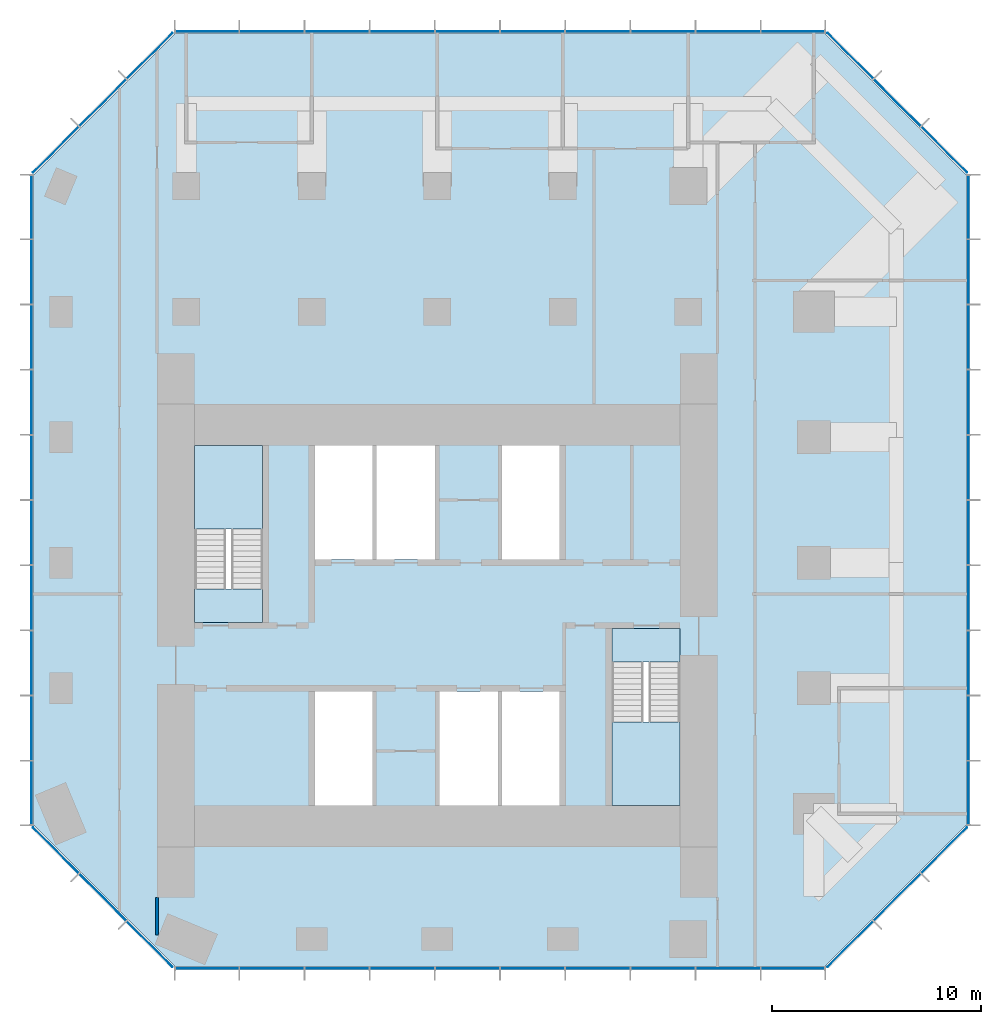
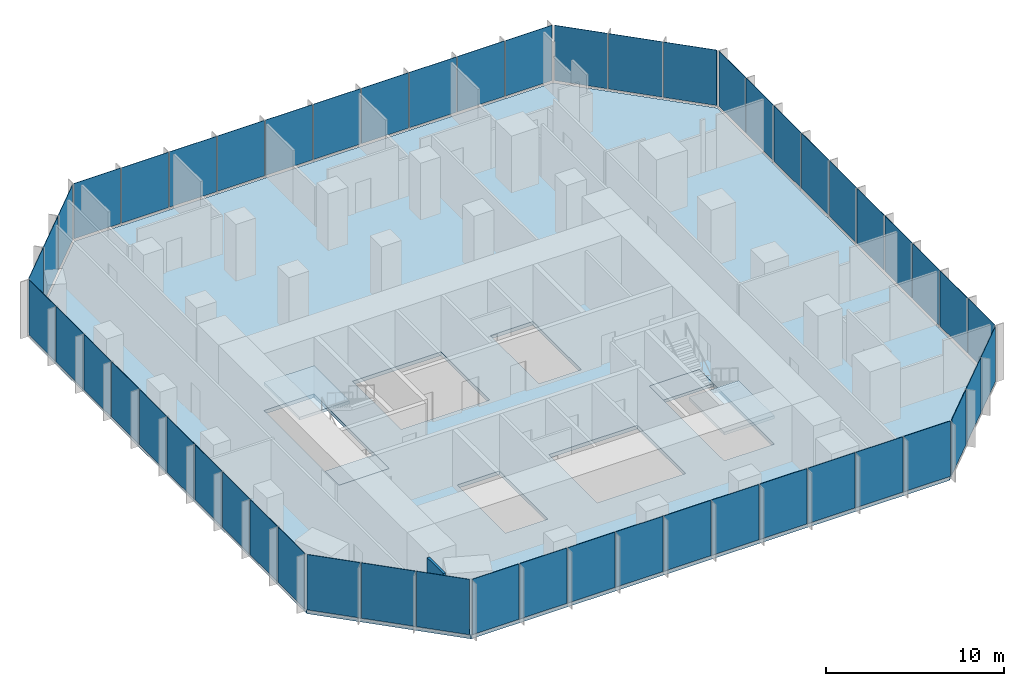
# One storey, part 7 of 11: 52 plates, 5 slabs, 1 wall, 10 elements without a shape of their own.
"""IFC4 building model written with IfcOpenShell, lengths in metres."""

import ifcopenshell
import ifcopenshell.guid

model = None  # the IFC model being written
_history = None  # IfcOwnerHistory: only IFC2X3 demands one
_inside = {}  # id of a spatial element -> (the spatial element, [elements in it])
_under = {}  # id of a project, library or spatial element -> (it, [spatial elements below it])
_declared = {}  # id of a project -> (the project, [libraries it declares])
_typed = {}  # id of a type object -> (the type object, [elements of that type])
_made_of = {}  # id of a material, layer set ... -> (it, [elements and type objects made of it])


def new_model(schema):
    """Start an empty IFC model of exactly this schema.

    Asked for "IFC4X3", IfcOpenShell would pick the latest addendum, in which some entities
    have other attributes; the version numbers below select the first issue.
    IFC2X3 requires an IfcOwnerHistory on every rooted entity: one is made here for all.
    """
    global model, _history
    if schema == "IFC4X3":
        model = ifcopenshell.file(schema_version=(4, 3, 0, 0))
    else:
        model = ifcopenshell.file(schema=schema)
    _inside.clear()
    _under.clear()
    _declared.clear()
    _typed.clear()
    _made_of.clear()
    _history = None
    if model.schema == "IFC2X3":
        org = make("IfcOrganization", Name="unknown")
        user = make(
            "IfcPersonAndOrganization",
            ThePerson=make("IfcPerson", FamilyName="unknown"),
            TheOrganization=org,
        )
        app = make(
            "IfcApplication",
            ApplicationDeveloper=org,
            Version="unknown",
            ApplicationFullName="unknown",
            ApplicationIdentifier="unknown",
        )
        _history = make(
            "IfcOwnerHistory",
            OwningUser=user,
            OwningApplication=app,
            ChangeAction="ADDED",
            CreationDate=0,
        )
    return model


def make(cls, **values):
    """One entity of the class cls with the attributes given. An attribute that is None is left unset."""
    return model.create_entity(
        cls, **{name: value for name, value in values.items() if value is not None}
    )


def rooted(cls, **values):
    """An entity with a GlobalId (a new one), such as an element, a storey or a relation."""
    return make(cls, GlobalId=ifcopenshell.guid.new(), OwnerHistory=_history, **values)


def si_unit(unit_type, name, prefix=None):
    """IfcSIUnit, for example si_unit("LENGTHUNIT", "METRE", prefix="MILLI")."""
    return make("IfcSIUnit", UnitType=unit_type, Prefix=prefix, Name=name)


def assignment(units):
    """IfcUnitAssignment: the units of a project."""
    return None if units is None else make("IfcUnitAssignment", Units=units)


def point(xyz):
    """IfcCartesianPoint."""
    return None if xyz is None else make("IfcCartesianPoint", Coordinates=xyz)


def direction(xyz):
    """IfcDirection."""
    return None if xyz is None else make("IfcDirection", DirectionRatios=xyz)


def frame(location, z_axis=None, x_axis=None):
    """IfcAxis2Placement3D, a coordinate frame: its origin and axes. An axis left out is left unset."""
    return make(
        "IfcAxis2Placement3D",
        Location=point(location),
        Axis=direction(z_axis),
        RefDirection=direction(x_axis),
    )


def frame_2d(location, x_axis=None):
    """IfcAxis2Placement2D, a coordinate frame in the plane: its origin and x axis."""
    return make(
        "IfcAxis2Placement2D", Location=point(location), RefDirection=direction(x_axis)
    )


def origin():
    """The frame at (0, 0, 0) with its axes left unset."""
    return frame((0.0, 0.0, 0.0))


def origin_2d():
    """The frame at (0, 0) in the plane with its x axis left unset."""
    return frame_2d((0.0, 0.0))


def place(relative_to, where):
    """IfcLocalPlacement: puts the frame where relative to a parent placement (None: the world)."""
    return make(
        "IfcLocalPlacement", PlacementRelTo=relative_to, RelativePlacement=where
    )


def context(
    kind, dimensions, precision=None, world=None, true_north=None, identifier=None
):
    """IfcGeometricRepresentationContext, for example the 3D "Model" context."""
    return make(
        "IfcGeometricRepresentationContext",
        ContextIdentifier=identifier,
        ContextType=kind,
        CoordinateSpaceDimension=dimensions,
        Precision=precision,
        WorldCoordinateSystem=world,
        TrueNorth=true_north,
    )


def subcontext(parent, identifier, kind, view, scale=None):
    """IfcGeometricRepresentationSubContext, for example "Body" below "Model"."""
    return make(
        "IfcGeometricRepresentationSubContext",
        ContextIdentifier=identifier,
        ContextType=kind,
        ParentContext=parent,
        TargetScale=scale,
        TargetView=view,
    )


def project(units=None, contexts=None):
    """IfcProject with its units and contexts."""
    return rooted(
        "IfcProject",
        Name="project",
        RepresentationContexts=contexts,
        UnitsInContext=assignment(units),
    )


def spatial(cls, under=None, at=None, **own):
    """A site, building, storey or space (cls), placed at a placement, below another one or the project."""
    s = rooted(cls, ObjectPlacement=at, **own)
    if under is not None:
        _under.setdefault(under.id(), (under, []))[1].append(s)
    return s


def polyline(points):
    """IfcPolyline through the points."""
    return make("IfcPolyline", Points=[point(p) for p in points])


def profile(cls, at=None, kind="AREA", **sizes):
    """A parametric profile (cls). Its sizes go by their IFC names, for example OverallWidth=200.0."""
    return make(cls, ProfileType=kind, Position=at, **sizes)


def rectangle(**sizes):
    """IfcRectangleProfileDef."""
    return profile("IfcRectangleProfileDef", **sizes)


def outline(outer, holes=None, kind="AREA"):
    """IfcArbitraryClosedProfileDef: a profile drawn as a closed curve; with holes, ...WithVoids."""
    if holes is None:
        return make("IfcArbitraryClosedProfileDef", ProfileType=kind, OuterCurve=outer)
    return make(
        "IfcArbitraryProfileDefWithVoids",
        ProfileType=kind,
        OuterCurve=outer,
        InnerCurves=holes,
    )


def extrude(swept, where, along, depth):
    """IfcExtrudedAreaSolid: the profile swept, set in the frame where, extruded along a direction by depth."""
    return make(
        "IfcExtrudedAreaSolid",
        SweptArea=swept,
        Position=where,
        ExtrudedDirection=direction(along),
        Depth=depth,
    )


def shape(context_of_items, identifier, shape_type, items):
    """IfcShapeRepresentation: the items that make up one representation, for example the "Body"."""
    return make(
        "IfcShapeRepresentation",
        ContextOfItems=context_of_items,
        RepresentationIdentifier=identifier,
        RepresentationType=shape_type,
        Items=items,
    )


def material(Name=None, Category=None):
    """IfcMaterial."""
    return make("IfcMaterial", Name=Name, Category=Category)


def layer(
    of_material, thickness, ventilated=None, Name=None, Category=None, Priority=None
):
    """IfcMaterialLayer: one layer of a wall or slab, of a material (None: an air gap)."""
    return make(
        "IfcMaterialLayer",
        Material=of_material,
        LayerThickness=thickness,
        IsVentilated=ventilated,
        Name=Name,
        Category=Category,
        Priority=Priority,
    )


def layer_set(layers, Name=None):
    """IfcMaterialLayerSet."""
    return make("IfcMaterialLayerSet", MaterialLayers=layers, LayerSetName=Name)


def made_of(thing, what):
    """Note that an element or type object is made of a material, layer set ...; save() writes the relation."""
    if what is not None:
        _made_of.setdefault(what.id(), (what, []))[1].append(thing)
    return thing


def type_object(cls, material=None, **own):
    """A type object (cls), such as IfcWallType, which elements share."""
    return made_of(rooted(cls, **own), material)


def element(
    cls,
    number,
    at=None,
    inside=None,
    cuts=None,
    type_object=None,
    material=None,
    context=None,
    identifier="Body",
    shape_type=None,
    held_by="IfcProductDefinitionShape",
    body=None,
    shapes=None,
    **own,
):
    """One element of the class cls, such as IfcWall. Its Tag is "e" and its number.

    at: its placement. inside: the storey or other place that contains it. cuts: it is an
    opening in that element (IfcRelVoidsElement). A single representation is given by context,
    identifier, shape_type and body (its items); several are given by shapes. held_by: the class
    of the entity that holds the representations. save() writes the other relations.
    """
    e = rooted(cls, Tag="e%d" % number, ObjectPlacement=at, **own)
    if body is not None:
        shapes = [shape(context, identifier, shape_type, body)]
    if shapes is not None:
        e.Representation = make(held_by, Representations=shapes)
    if inside is not None:
        _inside.setdefault(inside.id(), (inside, []))[1].append(e)
    if cuts is not None:
        rooted(
            "IfcRelVoidsElement", RelatingBuildingElement=cuts, RelatedOpeningElement=e
        )
    if type_object is not None:
        _typed.setdefault(type_object.id(), (type_object, []))[1].append(e)
    return made_of(e, material)


def aggregate(whole, parts):
    """IfcRelAggregates: a whole, such as a stair, and the parts it consists of."""
    return rooted("IfcRelAggregates", RelatingObject=whole, RelatedObjects=parts)


def save(model, path):
    """Write the relations noted so far, then the file.

    IfcRelAggregates (storeys below a building ...), IfcRelContainedInSpatialStructure (elements
    in a storey), IfcRelDefinesByType, IfcRelAssociatesMaterial and IfcRelDeclares: one each for
    every whole, place, type object, material and project.
    """
    for whole, parts in _under.values():
        aggregate(whole, parts)
    for where, things in _inside.values():
        rooted(
            "IfcRelContainedInSpatialStructure",
            RelatedElements=things,
            RelatingStructure=where,
        )
    for kind, things in _typed.values():
        rooted("IfcRelDefinesByType", RelatedObjects=things, RelatingType=kind)
    for what, things in _made_of.values():
        rooted("IfcRelAssociatesMaterial", RelatedObjects=things, RelatingMaterial=what)
    for by, libraries in _declared.values():
        rooted("IfcRelDeclares", RelatingContext=by, RelatedDefinitions=libraries)
    model.write(path)


model = new_model("IFC4")

# Units and contexts
model_context = context("Model", 3, precision=1e-05, world=origin(), true_north=direction((0.0, 1.0)))
body_context = subcontext(model_context, "Body", "Model", "MODEL_VIEW")
ifc_project = project(units=[si_unit("LENGTHUNIT", "METRE"), si_unit("AREAUNIT", "SQUARE_METRE"), si_unit("VOLUMEUNIT", "CUBIC_METRE"), si_unit("PLANEANGLEUNIT", "RADIAN"), si_unit("MASSUNIT", "GRAM", prefix="KILO")], contexts=[model_context])

# Site, building, storey
site_placement = place(None, origin())
site = spatial("IfcSite", under=ifc_project, at=site_placement, CompositionType="ELEMENT")
building_placement = place(site_placement, origin())
building = spatial("IfcBuilding", under=site, at=building_placement, Name="Highveld Stack Headquarters", CompositionType="ELEMENT")
storey_placement = place(building_placement, frame((0.0, 0.0, 177.199951171875)))
storey = spatial("IfcBuildingStorey", under=building, at=storey_placement, Name="L43", CompositionType="ELEMENT", Elevation=177.199951171875)

# Curtain wall, plates
ifc_material_1 = material(Name="Aluminium bronze anodised", Category="aluminium")
ifc_layer_1 = layer(ifc_material_1, 0.199951171875)
ifc_layer_set_1 = layer_set([ifc_layer_1], Name="Aluminium bronze anodised")
curtain_wall_type_1 = type_object("IfcCurtainWallType", Name="CW1 TOWER UNITISED CURTAIN WALL", PredefinedType="NOTDEFINED", material=ifc_layer_set_1)
curtain_wall_1_placement = place(storey_placement, origin())
curtain_wall_1 = element("IfcCurtainWall", 1, at=curtain_wall_1_placement, inside=storey, type_object=curtain_wall_type_1, Name="Curtain wall CW1 L43 S", PredefinedType="NOTDEFINED")
ifc_material_2 = material(Name="Glass bronze tinted double glazed unit", Category="glass")
ifc_layer_2 = layer(ifc_material_2, 0.028076171875)
ifc_layer_set_2 = layer_set([ifc_layer_2], Name="Glass bronze tinted double glazed unit")
plate_type_1 = type_object("IfcPlateType", Name="CW1 PANEL BRONZE TINTED DOUBLE GLAZED UNIT", PredefinedType="CURTAIN_PANEL", material=ifc_layer_set_2)
plate_1_placement = place(storey_placement, frame((-5.005615234375, -13.39990234375, 0.10009765625), z_axis=(0.0, 0.0, 1.0), x_axis=(1.0, 0.0, 0.0)))
plate_1 = element("IfcPlate", 2, at=plate_1_placement, type_object=plate_type_1, Name="CW1 panel L43 1.1", PredefinedType="CURTAIN_PANEL", context=body_context, shape_type="SweptSolid", body=[
    extrude(rectangle(XDim=3.0185546875, YDim=0.028076171875, at=origin_2d()), origin(), (0.0, 0.0, 1.0), 3.800048828125),
])
plate_2_placement = place(storey_placement, frame((-1.906005859375, -13.39990234375, 0.10009765625), z_axis=(0.0, 0.0, 1.0), x_axis=(1.0, 0.0, 0.0)))
plate_2 = element("IfcPlate", 3, at=plate_2_placement, type_object=plate_type_1, Name="CW1 panel L43 2.1", PredefinedType="CURTAIN_PANEL", context=body_context, shape_type="SweptSolid", body=[
    extrude(rectangle(XDim=3.051025390625, YDim=0.028076171875, at=origin_2d()), origin(), (0.0, 0.0, 1.0), 3.800048828125),
])
plate_3_placement = place(storey_placement, frame((1.2099609375, -13.39990234375, 0.10009765625), z_axis=(0.0, 0.0, 1.0), x_axis=(1.0, 0.0, 0.0)))
plate_3 = element("IfcPlate", 4, at=plate_3_placement, type_object=plate_type_1, Name="CW1 panel L43 3.1", PredefinedType="CURTAIN_PANEL", context=body_context, shape_type="SweptSolid", body=[
    extrude(rectangle(XDim=3.051025390625, YDim=0.028076171875, at=origin_2d()), origin(), (0.0, 0.0, 1.0), 3.800048828125),
])
plate_4_placement = place(storey_placement, frame((4.325927734375, -13.39990234375, 0.10009765625), z_axis=(0.0, 0.0, 1.0), x_axis=(1.0, 0.0, 0.0)))
plate_4 = element("IfcPlate", 5, at=plate_4_placement, type_object=plate_type_1, Name="CW1 panel L43 4.1", PredefinedType="CURTAIN_PANEL", context=body_context, shape_type="SweptSolid", body=[
    extrude(rectangle(XDim=3.051025390625, YDim=0.028076171875, at=origin_2d()), origin(), (0.0, 0.0, 1.0), 3.800048828125),
])
plate_5_placement = place(storey_placement, frame((7.44189453125, -13.39990234375, 0.10009765625), z_axis=(0.0, 0.0, 1.0), x_axis=(1.0, 0.0, 0.0)))
plate_5 = element("IfcPlate", 6, at=plate_5_placement, type_object=plate_type_1, Name="CW1 panel L43 5.1", PredefinedType="CURTAIN_PANEL", context=body_context, shape_type="SweptSolid", body=[
    extrude(rectangle(XDim=3.051025390625, YDim=0.028076171875, at=origin_2d()), origin(), (0.0, 0.0, 1.0), 3.800048828125),
])
plate_6_placement = place(storey_placement, frame((10.55810546875, -13.39990234375, 0.10009765625), z_axis=(0.0, 0.0, 1.0), x_axis=(1.0, 0.0, 0.0)))
plate_6 = element("IfcPlate", 7, at=plate_6_placement, type_object=plate_type_1, Name="CW1 panel L43 6.1", PredefinedType="CURTAIN_PANEL", context=body_context, shape_type="SweptSolid", body=[
    extrude(rectangle(XDim=3.051025390625, YDim=0.028076171875, at=origin_2d()), origin(), (0.0, 0.0, 1.0), 3.800048828125),
])
plate_7_placement = place(storey_placement, frame((13.674072265625, -13.39990234375, 0.10009765625), z_axis=(0.0, 0.0, 1.0), x_axis=(1.0, 0.0, 0.0)))
plate_7 = element("IfcPlate", 8, at=plate_7_placement, type_object=plate_type_1, Name="CW1 panel L43 7.1", PredefinedType="CURTAIN_PANEL", context=body_context, shape_type="SweptSolid", body=[
    extrude(rectangle(XDim=3.051025390625, YDim=0.028076171875, at=origin_2d()), origin(), (0.0, 0.0, 1.0), 3.800048828125),
])
plate_8_placement = place(storey_placement, frame((16.789794921875, -13.39990234375, 0.10009765625), z_axis=(0.0, 0.0, 1.0), x_axis=(1.0, 0.0, 0.0)))
plate_8 = element("IfcPlate", 9, at=plate_8_placement, type_object=plate_type_1, Name="CW1 panel L43 8.1", PredefinedType="CURTAIN_PANEL", context=body_context, shape_type="SweptSolid", body=[
    extrude(rectangle(XDim=3.051025390625, YDim=0.028076171875, at=origin_2d()), origin(), (0.0, 0.0, 1.0), 3.800048828125),
])
plate_9_placement = place(storey_placement, frame((19.906005859375, -13.39990234375, 0.10009765625), z_axis=(0.0, 0.0, 1.0), x_axis=(1.0, 0.0, 0.0)))
plate_9 = element("IfcPlate", 10, at=plate_9_placement, type_object=plate_type_1, Name="CW1 panel L43 9.1", PredefinedType="CURTAIN_PANEL", context=body_context, shape_type="SweptSolid", body=[
    extrude(rectangle(XDim=3.051025390625, YDim=0.028076171875, at=origin_2d()), origin(), (0.0, 0.0, 1.0), 3.800048828125),
])
plate_10_placement = place(storey_placement, frame((23.005615234375, -13.39990234375, 0.10009765625), z_axis=(0.0, 0.0, 1.0), x_axis=(1.0, 0.0, 0.0)))
plate_10 = element("IfcPlate", 11, at=plate_10_placement, type_object=plate_type_1, Name="CW1 panel L43 10.1", PredefinedType="CURTAIN_PANEL", context=body_context, shape_type="SweptSolid", body=[
    extrude(rectangle(XDim=3.0185546875, YDim=0.028076171875, at=origin_2d()), origin(), (0.0, 0.0, 1.0), 3.800048828125),
])
aggregate(curtain_wall_1, [plate_1, plate_2, plate_3, plate_4, plate_5, plate_6, plate_7, plate_8, plate_9, plate_10])

curtain_wall_2_placement = place(storey_placement, origin())
curtain_wall_2 = element("IfcCurtainWall", 12, at=curtain_wall_2_placement, inside=storey, type_object=curtain_wall_type_1, Name="Curtain wall CW1 L43 E", PredefinedType="NOTDEFINED")
plate_11_placement = place(storey_placement, frame((31.39990234375, -5.005615234375, 0.10009765625), z_axis=(0.0, 0.0, 1.0), x_axis=(0.0, 1.0, 0.0)))
plate_11 = element("IfcPlate", 13, at=plate_11_placement, type_object=plate_type_1, Name="CW1 panel L43 1.1", PredefinedType="CURTAIN_PANEL", context=body_context, shape_type="SweptSolid", body=[
    extrude(rectangle(XDim=3.0185546875, YDim=0.028076171875, at=origin_2d()), origin(), (0.0, 0.0, 1.0), 3.800048828125),
])
plate_12_placement = place(storey_placement, frame((31.39990234375, -1.906005859375, 0.10009765625), z_axis=(0.0, 0.0, 1.0), x_axis=(0.0, 1.0, 0.0)))
plate_12 = element("IfcPlate", 14, at=plate_12_placement, type_object=plate_type_1, Name="CW1 panel L43 2.1", PredefinedType="CURTAIN_PANEL", context=body_context, shape_type="SweptSolid", body=[
    extrude(rectangle(XDim=3.051025390625, YDim=0.028076171875, at=origin_2d()), origin(), (0.0, 0.0, 1.0), 3.800048828125),
])
plate_13_placement = place(storey_placement, frame((31.39990234375, 1.2099609375, 0.10009765625), z_axis=(0.0, 0.0, 1.0), x_axis=(0.0, 1.0, 0.0)))
plate_13 = element("IfcPlate", 15, at=plate_13_placement, type_object=plate_type_1, Name="CW1 panel L43 3.1", PredefinedType="CURTAIN_PANEL", context=body_context, shape_type="SweptSolid", body=[
    extrude(rectangle(XDim=3.051025390625, YDim=0.028076171875, at=origin_2d()), origin(), (0.0, 0.0, 1.0), 3.800048828125),
])
plate_14_placement = place(storey_placement, frame((31.39990234375, 4.325927734375, 0.10009765625), z_axis=(0.0, 0.0, 1.0), x_axis=(0.0, 1.0, 0.0)))
plate_14 = element("IfcPlate", 16, at=plate_14_placement, type_object=plate_type_1, Name="CW1 panel L43 4.1", PredefinedType="CURTAIN_PANEL", context=body_context, shape_type="SweptSolid", body=[
    extrude(rectangle(XDim=3.051025390625, YDim=0.028076171875, at=origin_2d()), origin(), (0.0, 0.0, 1.0), 3.800048828125),
])
plate_15_placement = place(storey_placement, frame((31.39990234375, 7.44189453125, 0.10009765625), z_axis=(0.0, 0.0, 1.0), x_axis=(0.0, 1.0, 0.0)))
plate_15 = element("IfcPlate", 17, at=plate_15_placement, type_object=plate_type_1, Name="CW1 panel L43 5.1", PredefinedType="CURTAIN_PANEL", context=body_context, shape_type="SweptSolid", body=[
    extrude(rectangle(XDim=3.051025390625, YDim=0.028076171875, at=origin_2d()), origin(), (0.0, 0.0, 1.0), 3.800048828125),
])
plate_16_placement = place(storey_placement, frame((31.39990234375, 10.55810546875, 0.10009765625), z_axis=(0.0, 0.0, 1.0), x_axis=(0.0, 1.0, 0.0)))
plate_16 = element("IfcPlate", 18, at=plate_16_placement, type_object=plate_type_1, Name="CW1 panel L43 6.1", PredefinedType="CURTAIN_PANEL", context=body_context, shape_type="SweptSolid", body=[
    extrude(rectangle(XDim=3.051025390625, YDim=0.028076171875, at=origin_2d()), origin(), (0.0, 0.0, 1.0), 3.800048828125),
])
plate_17_placement = place(storey_placement, frame((31.39990234375, 13.674072265625, 0.10009765625), z_axis=(0.0, 0.0, 1.0), x_axis=(0.0, 1.0, 0.0)))
plate_17 = element("IfcPlate", 19, at=plate_17_placement, type_object=plate_type_1, Name="CW1 panel L43 7.1", PredefinedType="CURTAIN_PANEL", context=body_context, shape_type="SweptSolid", body=[
    extrude(rectangle(XDim=3.051025390625, YDim=0.028076171875, at=origin_2d()), origin(), (0.0, 0.0, 1.0), 3.800048828125),
])
plate_18_placement = place(storey_placement, frame((31.39990234375, 16.789794921875, 0.10009765625), z_axis=(0.0, 0.0, 1.0), x_axis=(0.0, 1.0, 0.0)))
plate_18 = element("IfcPlate", 20, at=plate_18_placement, type_object=plate_type_1, Name="CW1 panel L43 8.1", PredefinedType="CURTAIN_PANEL", context=body_context, shape_type="SweptSolid", body=[
    extrude(rectangle(XDim=3.051025390625, YDim=0.028076171875, at=origin_2d()), origin(), (0.0, 0.0, 1.0), 3.800048828125),
])
plate_19_placement = place(storey_placement, frame((31.39990234375, 19.906005859375, 0.10009765625), z_axis=(0.0, 0.0, 1.0), x_axis=(0.0, 1.0, 0.0)))
plate_19 = element("IfcPlate", 21, at=plate_19_placement, type_object=plate_type_1, Name="CW1 panel L43 9.1", PredefinedType="CURTAIN_PANEL", context=body_context, shape_type="SweptSolid", body=[
    extrude(rectangle(XDim=3.051025390625, YDim=0.028076171875, at=origin_2d()), origin(), (0.0, 0.0, 1.0), 3.800048828125),
])
plate_20_placement = place(storey_placement, frame((31.39990234375, 23.005615234375, 0.10009765625), z_axis=(0.0, 0.0, 1.0), x_axis=(0.0, 1.0, 0.0)))
plate_20 = element("IfcPlate", 22, at=plate_20_placement, type_object=plate_type_1, Name="CW1 panel L43 10.1", PredefinedType="CURTAIN_PANEL", context=body_context, shape_type="SweptSolid", body=[
    extrude(rectangle(XDim=3.0185546875, YDim=0.028076171875, at=origin_2d()), origin(), (0.0, 0.0, 1.0), 3.800048828125),
])
aggregate(curtain_wall_2, [plate_11, plate_12, plate_13, plate_14, plate_15, plate_16, plate_17, plate_18, plate_19, plate_20])

curtain_wall_3_placement = place(storey_placement, origin())
curtain_wall_3 = element("IfcCurtainWall", 23, at=curtain_wall_3_placement, inside=storey, type_object=curtain_wall_type_1, Name="Curtain wall CW1 L43 N", PredefinedType="NOTDEFINED")
plate_21_placement = place(storey_placement, frame((23.005615234375, 31.39990234375, 0.10009765625), z_axis=(0.0, 0.0, 1.0), x_axis=(-1.0, 0.0, 0.0)))
plate_21 = element("IfcPlate", 24, at=plate_21_placement, type_object=plate_type_1, Name="CW1 panel L43 1.1", PredefinedType="CURTAIN_PANEL", context=body_context, shape_type="SweptSolid", body=[
    extrude(rectangle(XDim=3.0185546875, YDim=0.028076171875, at=origin_2d()), origin(), (0.0, 0.0, 1.0), 3.800048828125),
])
plate_22_placement = place(storey_placement, frame((19.906005859375, 31.39990234375, 0.10009765625), z_axis=(0.0, 0.0, 1.0), x_axis=(-1.0, 0.0, 0.0)))
plate_22 = element("IfcPlate", 25, at=plate_22_placement, type_object=plate_type_1, Name="CW1 panel L43 2.1", PredefinedType="CURTAIN_PANEL", context=body_context, shape_type="SweptSolid", body=[
    extrude(rectangle(XDim=3.051025390625, YDim=0.028076171875, at=origin_2d()), origin(), (0.0, 0.0, 1.0), 3.800048828125),
])
plate_23_placement = place(storey_placement, frame((16.7900390625, 31.39990234375, 0.10009765625), z_axis=(0.0, 0.0, 1.0), x_axis=(-1.0, 0.0, 0.0)))
plate_23 = element("IfcPlate", 26, at=plate_23_placement, type_object=plate_type_1, Name="CW1 panel L43 3.1", PredefinedType="CURTAIN_PANEL", context=body_context, shape_type="SweptSolid", body=[
    extrude(rectangle(XDim=3.051025390625, YDim=0.028076171875, at=origin_2d()), origin(), (0.0, 0.0, 1.0), 3.800048828125),
])
plate_24_placement = place(storey_placement, frame((13.674072265625, 31.39990234375, 0.10009765625), z_axis=(0.0, 0.0, 1.0), x_axis=(-1.0, 0.0, 0.0)))
plate_24 = element("IfcPlate", 27, at=plate_24_placement, type_object=plate_type_1, Name="CW1 panel L43 4.1", PredefinedType="CURTAIN_PANEL", context=body_context, shape_type="SweptSolid", body=[
    extrude(rectangle(XDim=3.051025390625, YDim=0.028076171875, at=origin_2d()), origin(), (0.0, 0.0, 1.0), 3.800048828125),
])
plate_25_placement = place(storey_placement, frame((10.55810546875, 31.39990234375, 0.10009765625), z_axis=(0.0, 0.0, 1.0), x_axis=(-1.0, 0.0, 0.0)))
plate_25 = element("IfcPlate", 28, at=plate_25_placement, type_object=plate_type_1, Name="CW1 panel L43 5.1", PredefinedType="CURTAIN_PANEL", context=body_context, shape_type="SweptSolid", body=[
    extrude(rectangle(XDim=3.051025390625, YDim=0.028076171875, at=origin_2d()), origin(), (0.0, 0.0, 1.0), 3.800048828125),
])
plate_26_placement = place(storey_placement, frame((7.44189453125, 31.39990234375, 0.10009765625), z_axis=(0.0, 0.0, 1.0), x_axis=(-1.0, 0.0, 0.0)))
plate_26 = element("IfcPlate", 29, at=plate_26_placement, type_object=plate_type_1, Name="CW1 panel L43 6.1", PredefinedType="CURTAIN_PANEL", context=body_context, shape_type="SweptSolid", body=[
    extrude(rectangle(XDim=3.051025390625, YDim=0.028076171875, at=origin_2d()), origin(), (0.0, 0.0, 1.0), 3.800048828125),
])
plate_27_placement = place(storey_placement, frame((4.325927734375, 31.39990234375, 0.10009765625), z_axis=(0.0, 0.0, 1.0), x_axis=(-1.0, 0.0, 0.0)))
plate_27 = element("IfcPlate", 30, at=plate_27_placement, type_object=plate_type_1, Name="CW1 panel L43 7.1", PredefinedType="CURTAIN_PANEL", context=body_context, shape_type="SweptSolid", body=[
    extrude(rectangle(XDim=3.051025390625, YDim=0.028076171875, at=origin_2d()), origin(), (0.0, 0.0, 1.0), 3.800048828125),
])
plate_28_placement = place(storey_placement, frame((1.210205078125, 31.39990234375, 0.10009765625), z_axis=(0.0, 0.0, 1.0), x_axis=(-1.0, 0.0, 0.0)))
plate_28 = element("IfcPlate", 31, at=plate_28_placement, type_object=plate_type_1, Name="CW1 panel L43 8.1", PredefinedType="CURTAIN_PANEL", context=body_context, shape_type="SweptSolid", body=[
    extrude(rectangle(XDim=3.051025390625, YDim=0.028076171875, at=origin_2d()), origin(), (0.0, 0.0, 1.0), 3.800048828125),
])
plate_29_placement = place(storey_placement, frame((-1.906005859375, 31.39990234375, 0.10009765625), z_axis=(0.0, 0.0, 1.0), x_axis=(-1.0, 0.0, 0.0)))
plate_29 = element("IfcPlate", 32, at=plate_29_placement, type_object=plate_type_1, Name="CW1 panel L43 9.1", PredefinedType="CURTAIN_PANEL", context=body_context, shape_type="SweptSolid", body=[
    extrude(rectangle(XDim=3.051025390625, YDim=0.028076171875, at=origin_2d()), origin(), (0.0, 0.0, 1.0), 3.800048828125),
])
plate_30_placement = place(storey_placement, frame((-5.005615234375, 31.39990234375, 0.10009765625), z_axis=(0.0, 0.0, 1.0), x_axis=(-1.0, 0.0, 0.0)))
plate_30 = element("IfcPlate", 33, at=plate_30_placement, type_object=plate_type_1, Name="CW1 panel L43 10.1", PredefinedType="CURTAIN_PANEL", context=body_context, shape_type="SweptSolid", body=[
    extrude(rectangle(XDim=3.0185546875, YDim=0.028076171875, at=origin_2d()), origin(), (0.0, 0.0, 1.0), 3.800048828125),
])
aggregate(curtain_wall_3, [plate_21, plate_22, plate_23, plate_24, plate_25, plate_26, plate_27, plate_28, plate_29, plate_30])

curtain_wall_4_placement = place(storey_placement, origin())
curtain_wall_4 = element("IfcCurtainWall", 34, at=curtain_wall_4_placement, inside=storey, type_object=curtain_wall_type_1, Name="Curtain wall CW1 L43 W", PredefinedType="NOTDEFINED")
plate_31_placement = place(storey_placement, frame((-13.39990234375, 23.005615234375, 0.10009765625), z_axis=(0.0, 0.0, 1.0), x_axis=(0.0, -1.0, 0.0)))
plate_31 = element("IfcPlate", 35, at=plate_31_placement, type_object=plate_type_1, Name="CW1 panel L43 1.1", PredefinedType="CURTAIN_PANEL", context=body_context, shape_type="SweptSolid", body=[
    extrude(rectangle(XDim=3.0185546875, YDim=0.028076171875, at=origin_2d()), origin(), (0.0, 0.0, 1.0), 3.800048828125),
])
plate_32_placement = place(storey_placement, frame((-13.39990234375, 19.906005859375, 0.10009765625), z_axis=(0.0, 0.0, 1.0), x_axis=(0.0, -1.0, 0.0)))
plate_32 = element("IfcPlate", 36, at=plate_32_placement, type_object=plate_type_1, Name="CW1 panel L43 2.1", PredefinedType="CURTAIN_PANEL", context=body_context, shape_type="SweptSolid", body=[
    extrude(rectangle(XDim=3.051025390625, YDim=0.028076171875, at=origin_2d()), origin(), (0.0, 0.0, 1.0), 3.800048828125),
])
plate_33_placement = place(storey_placement, frame((-13.39990234375, 16.7900390625, 0.10009765625), z_axis=(0.0, 0.0, 1.0), x_axis=(0.0, -1.0, 0.0)))
plate_33 = element("IfcPlate", 37, at=plate_33_placement, type_object=plate_type_1, Name="CW1 panel L43 3.1", PredefinedType="CURTAIN_PANEL", context=body_context, shape_type="SweptSolid", body=[
    extrude(rectangle(XDim=3.051025390625, YDim=0.028076171875, at=origin_2d()), origin(), (0.0, 0.0, 1.0), 3.800048828125),
])
plate_34_placement = place(storey_placement, frame((-13.39990234375, 13.674072265625, 0.10009765625), z_axis=(0.0, 0.0, 1.0), x_axis=(0.0, -1.0, 0.0)))
plate_34 = element("IfcPlate", 38, at=plate_34_placement, type_object=plate_type_1, Name="CW1 panel L43 4.1", PredefinedType="CURTAIN_PANEL", context=body_context, shape_type="SweptSolid", body=[
    extrude(rectangle(XDim=3.051025390625, YDim=0.028076171875, at=origin_2d()), origin(), (0.0, 0.0, 1.0), 3.800048828125),
])
plate_35_placement = place(storey_placement, frame((-13.39990234375, 10.55810546875, 0.10009765625), z_axis=(0.0, 0.0, 1.0), x_axis=(0.0, -1.0, 0.0)))
plate_35 = element("IfcPlate", 39, at=plate_35_placement, type_object=plate_type_1, Name="CW1 panel L43 5.1", PredefinedType="CURTAIN_PANEL", context=body_context, shape_type="SweptSolid", body=[
    extrude(rectangle(XDim=3.051025390625, YDim=0.028076171875, at=origin_2d()), origin(), (0.0, 0.0, 1.0), 3.800048828125),
])
plate_36_placement = place(storey_placement, frame((-13.39990234375, 7.44189453125, 0.10009765625), z_axis=(0.0, 0.0, 1.0), x_axis=(0.0, -1.0, 0.0)))
plate_36 = element("IfcPlate", 40, at=plate_36_placement, type_object=plate_type_1, Name="CW1 panel L43 6.1", PredefinedType="CURTAIN_PANEL", context=body_context, shape_type="SweptSolid", body=[
    extrude(rectangle(XDim=3.051025390625, YDim=0.028076171875, at=origin_2d()), origin(), (0.0, 0.0, 1.0), 3.800048828125),
])
plate_37_placement = place(storey_placement, frame((-13.39990234375, 4.325927734375, 0.10009765625), z_axis=(0.0, 0.0, 1.0), x_axis=(0.0, -1.0, 0.0)))
plate_37 = element("IfcPlate", 41, at=plate_37_placement, type_object=plate_type_1, Name="CW1 panel L43 7.1", PredefinedType="CURTAIN_PANEL", context=body_context, shape_type="SweptSolid", body=[
    extrude(rectangle(XDim=3.051025390625, YDim=0.028076171875, at=origin_2d()), origin(), (0.0, 0.0, 1.0), 3.800048828125),
])
plate_38_placement = place(storey_placement, frame((-13.39990234375, 1.210205078125, 0.10009765625), z_axis=(0.0, 0.0, 1.0), x_axis=(0.0, -1.0, 0.0)))
plate_38 = element("IfcPlate", 42, at=plate_38_placement, type_object=plate_type_1, Name="CW1 panel L43 8.1", PredefinedType="CURTAIN_PANEL", context=body_context, shape_type="SweptSolid", body=[
    extrude(rectangle(XDim=3.051025390625, YDim=0.028076171875, at=origin_2d()), origin(), (0.0, 0.0, 1.0), 3.800048828125),
])
plate_39_placement = place(storey_placement, frame((-13.39990234375, -1.906005859375, 0.10009765625), z_axis=(0.0, 0.0, 1.0), x_axis=(0.0, -1.0, 0.0)))
plate_39 = element("IfcPlate", 43, at=plate_39_placement, type_object=plate_type_1, Name="CW1 panel L43 9.1", PredefinedType="CURTAIN_PANEL", context=body_context, shape_type="SweptSolid", body=[
    extrude(rectangle(XDim=3.051025390625, YDim=0.028076171875, at=origin_2d()), origin(), (0.0, 0.0, 1.0), 3.800048828125),
])
plate_40_placement = place(storey_placement, frame((-13.39990234375, -5.005615234375, 0.10009765625), z_axis=(0.0, 0.0, 1.0), x_axis=(0.0, -1.0, 0.0)))
plate_40 = element("IfcPlate", 44, at=plate_40_placement, type_object=plate_type_1, Name="CW1 panel L43 10.1", PredefinedType="CURTAIN_PANEL", context=body_context, shape_type="SweptSolid", body=[
    extrude(rectangle(XDim=3.0185546875, YDim=0.028076171875, at=origin_2d()), origin(), (0.0, 0.0, 1.0), 3.800048828125),
])
aggregate(curtain_wall_4, [plate_31, plate_32, plate_33, plate_34, plate_35, plate_36, plate_37, plate_38, plate_39, plate_40])

ifc_material_3 = material(Name="Aluminium bronze anodised", Category="aluminium")
ifc_layer_3 = layer(ifc_material_3, 0.199951171875)
ifc_layer_set_3 = layer_set([ifc_layer_3], Name="Aluminium bronze anodised")
curtain_wall_type_2 = type_object("IfcCurtainWallType", Name="CW2 TOWER CHAMFER UNITISED CURTAIN WALL", PredefinedType="NOTDEFINED", material=ifc_layer_set_3)
curtain_wall_5_placement = place(storey_placement, origin())
curtain_wall_5 = element("IfcCurtainWall", 45, at=curtain_wall_5_placement, inside=storey, type_object=curtain_wall_type_2, Name="Curtain wall CW2 L43 SE", PredefinedType="NOTDEFINED")
ifc_material_4 = material(Name="Glass bronze tinted double glazed unit", Category="glass")
ifc_layer_4 = layer(ifc_material_4, 0.028076171875)
ifc_layer_set_4 = layer_set([ifc_layer_4], Name="Glass bronze tinted double glazed unit")
plate_type_2 = type_object("IfcPlateType", Name="CW2 PANEL BRONZE TINTED DOUBLE GLAZED UNIT", PredefinedType="CURTAIN_PANEL", material=ifc_layer_set_4)
plate_41_placement = place(storey_placement, frame((25.740478515625, -12.239501953125, 0.10009765625), z_axis=(0.0, 0.0, 1.0), x_axis=(0.707106781187, 0.707106781187, 0.0)))
plate_41 = element("IfcPlate", 46, at=plate_41_placement, type_object=plate_type_2, Name="CW2 panel L43 1.1", PredefinedType="CURTAIN_PANEL", context=body_context, shape_type="SweptSolid", body=[
    extrude(rectangle(XDim=3.08251953125, YDim=0.028076171875, at=origin_2d()), origin(), (0.0, 0.0, 1.0), 3.800048828125),
])
plate_42_placement = place(storey_placement, frame((27.989990234375, -9.989990234375, 0.10009765625), z_axis=(0.0, 0.0, 1.0), x_axis=(0.707106781187, 0.707106781187, 0.0)))
plate_42 = element("IfcPlate", 47, at=plate_42_placement, type_object=plate_type_2, Name="CW2 panel L43 2.1", PredefinedType="CURTAIN_PANEL", context=body_context, shape_type="SweptSolid", body=[
    extrude(rectangle(XDim=3.14990234375, YDim=0.028076171875, at=origin_2d()), origin(), (0.0, 0.0, 1.0), 3.800048828125),
])
plate_43_placement = place(storey_placement, frame((30.239501953125, -7.740478515625, 0.10009765625), z_axis=(0.0, 0.0, 1.0), x_axis=(0.707106781187, 0.707106781187, 0.0)))
plate_43 = element("IfcPlate", 48, at=plate_43_placement, type_object=plate_type_2, Name="CW2 panel L43 3.1", PredefinedType="CURTAIN_PANEL", context=body_context, shape_type="SweptSolid", body=[
    extrude(rectangle(XDim=3.08251953125, YDim=0.028076171875, at=origin_2d()), origin(), (0.0, 0.0, 1.0), 3.800048828125),
])
aggregate(curtain_wall_5, [plate_41, plate_42, plate_43])

curtain_wall_6_placement = place(storey_placement, origin())
curtain_wall_6 = element("IfcCurtainWall", 49, at=curtain_wall_6_placement, inside=storey, type_object=curtain_wall_type_2, Name="Curtain wall CW2 L43 NE", PredefinedType="NOTDEFINED")
plate_44_placement = place(storey_placement, frame((30.239501953125, 25.740478515625, 0.10009765625), z_axis=(0.0, 0.0, 1.0), x_axis=(-0.707106781187, 0.707106781187, 0.0)))
plate_44 = element("IfcPlate", 50, at=plate_44_placement, type_object=plate_type_2, Name="CW2 panel L43 1.1", PredefinedType="CURTAIN_PANEL", context=body_context, shape_type="SweptSolid", body=[
    extrude(rectangle(XDim=3.08251953125, YDim=0.028076171875, at=origin_2d()), origin(), (0.0, 0.0, 1.0), 3.800048828125),
])
plate_45_placement = place(storey_placement, frame((27.989990234375, 27.989990234375, 0.10009765625), z_axis=(0.0, 0.0, 1.0), x_axis=(-0.707106781187, 0.707106781187, 0.0)))
plate_45 = element("IfcPlate", 51, at=plate_45_placement, type_object=plate_type_2, Name="CW2 panel L43 2.1", PredefinedType="CURTAIN_PANEL", context=body_context, shape_type="SweptSolid", body=[
    extrude(rectangle(XDim=3.14990234375, YDim=0.028076171875, at=origin_2d()), origin(), (0.0, 0.0, 1.0), 3.800048828125),
])
plate_46_placement = place(storey_placement, frame((25.740478515625, 30.239501953125, 0.10009765625), z_axis=(0.0, 0.0, 1.0), x_axis=(-0.707106781187, 0.707106781187, 0.0)))
plate_46 = element("IfcPlate", 52, at=plate_46_placement, type_object=plate_type_2, Name="CW2 panel L43 3.1", PredefinedType="CURTAIN_PANEL", context=body_context, shape_type="SweptSolid", body=[
    extrude(rectangle(XDim=3.08251953125, YDim=0.028076171875, at=origin_2d()), origin(), (0.0, 0.0, 1.0), 3.800048828125),
])
aggregate(curtain_wall_6, [plate_44, plate_45, plate_46])

curtain_wall_7_placement = place(storey_placement, origin())
curtain_wall_7 = element("IfcCurtainWall", 53, at=curtain_wall_7_placement, inside=storey, type_object=curtain_wall_type_2, Name="Curtain wall CW2 L43 NW", PredefinedType="NOTDEFINED")
plate_47_placement = place(storey_placement, frame((-7.740478515625, 30.239501953125, 0.10009765625), z_axis=(0.0, 0.0, 1.0), x_axis=(-0.707106781187, -0.707106781187, 0.0)))
plate_47 = element("IfcPlate", 54, at=plate_47_placement, type_object=plate_type_2, Name="CW2 panel L43 1.1", PredefinedType="CURTAIN_PANEL", context=body_context, shape_type="SweptSolid", body=[
    extrude(rectangle(XDim=3.08251953125, YDim=0.028076171875, at=origin_2d()), origin(), (0.0, 0.0, 1.0), 3.800048828125),
])
plate_48_placement = place(storey_placement, frame((-9.989990234375, 27.989990234375, 0.10009765625), z_axis=(0.0, 0.0, 1.0), x_axis=(-0.707106781187, -0.707106781187, 0.0)))
plate_48 = element("IfcPlate", 55, at=plate_48_placement, type_object=plate_type_2, Name="CW2 panel L43 2.1", PredefinedType="CURTAIN_PANEL", context=body_context, shape_type="SweptSolid", body=[
    extrude(rectangle(XDim=3.14990234375, YDim=0.028076171875, at=origin_2d()), origin(), (0.0, 0.0, 1.0), 3.800048828125),
])
plate_49_placement = place(storey_placement, frame((-12.239501953125, 25.740478515625, 0.10009765625), z_axis=(0.0, 0.0, 1.0), x_axis=(-0.707106781187, -0.707106781187, 0.0)))
plate_49 = element("IfcPlate", 56, at=plate_49_placement, type_object=plate_type_2, Name="CW2 panel L43 3.1", PredefinedType="CURTAIN_PANEL", context=body_context, shape_type="SweptSolid", body=[
    extrude(rectangle(XDim=3.08251953125, YDim=0.028076171875, at=origin_2d()), origin(), (0.0, 0.0, 1.0), 3.800048828125),
])
aggregate(curtain_wall_7, [plate_47, plate_48, plate_49])

curtain_wall_8_placement = place(storey_placement, origin())
curtain_wall_8 = element("IfcCurtainWall", 57, at=curtain_wall_8_placement, inside=storey, type_object=curtain_wall_type_2, Name="Curtain wall CW2 L43 SW", PredefinedType="NOTDEFINED")
plate_50_placement = place(storey_placement, frame((-12.239501953125, -7.740478515625, 0.10009765625), z_axis=(0.0, 0.0, 1.0), x_axis=(0.707106781187, -0.707106781187, 0.0)))
plate_50 = element("IfcPlate", 58, at=plate_50_placement, type_object=plate_type_2, Name="CW2 panel L43 1.1", PredefinedType="CURTAIN_PANEL", context=body_context, shape_type="SweptSolid", body=[
    extrude(rectangle(XDim=3.08251953125, YDim=0.028076171875, at=origin_2d()), origin(), (0.0, 0.0, 1.0), 3.800048828125),
])
plate_51_placement = place(storey_placement, frame((-9.989990234375, -9.989990234375, 0.10009765625), z_axis=(0.0, 0.0, 1.0), x_axis=(0.707106781187, -0.707106781187, 0.0)))
plate_51 = element("IfcPlate", 59, at=plate_51_placement, type_object=plate_type_2, Name="CW2 panel L43 2.1", PredefinedType="CURTAIN_PANEL", context=body_context, shape_type="SweptSolid", body=[
    extrude(rectangle(XDim=3.14990234375, YDim=0.028076171875, at=origin_2d()), origin(), (0.0, 0.0, 1.0), 3.800048828125),
])
plate_52_placement = place(storey_placement, frame((-7.740478515625, -12.239501953125, 0.10009765625), z_axis=(0.0, 0.0, 1.0), x_axis=(0.707106781187, -0.707106781187, 0.0)))
plate_52 = element("IfcPlate", 60, at=plate_52_placement, type_object=plate_type_2, Name="CW2 panel L43 3.1", PredefinedType="CURTAIN_PANEL", context=body_context, shape_type="SweptSolid", body=[
    extrude(rectangle(XDim=3.08251953125, YDim=0.028076171875, at=origin_2d()), origin(), (0.0, 0.0, 1.0), 3.800048828125),
])
aggregate(curtain_wall_8, [plate_50, plate_51, plate_52])

# Slab
ifc_material_5 = material(Name="Concrete C60/75", Category="concrete")
ifc_layer_5 = layer(ifc_material_5, 0.25)
ifc_layer_set_5 = layer_set([ifc_layer_5], Name="Concrete C60/75")
slab_type_1 = type_object("IfcSlabType", Name="PT FLAT SLAB 250", PredefinedType="FLOOR", material=ifc_layer_set_5)
slab_1_placement = place(storey_placement, frame((0.0, 0.0, -0.25)))
element("IfcSlab", 61, at=slab_1_placement, inside=storey, type_object=slab_type_1, Name="Floor slab L43", PredefinedType="FLOOR", context=body_context, shape_type="SweptSolid", body=[
    extrude(outline(polyline([(-6.53857421875, -13.300048828125), (24.53857421875, -13.300048828125), (31.300048828125, -6.53857421875), (31.300048828125, 24.53857421875), (24.53857421875, 31.300048828125), (-6.53857421875, 31.300048828125), (-13.300048828125, 24.53857421875), (-13.300048828125, -6.53857421875), (-6.53857421875, -13.300048828125)]), holes=[polyline([(0.14990234375, 6.14990234375), (5.89990234375, 6.14990234375), (5.89990234375, 11.60009765625), (0.14990234375, 11.60009765625), (0.14990234375, 6.14990234375)]), polyline([(9.10009765625, 6.14990234375), (11.85009765625, 6.14990234375), (11.85009765625, 11.60009765625), (9.10009765625, 11.60009765625), (9.10009765625, 6.14990234375)]), polyline([(6.10009765625, -5.60009765625), (11.85009765625, -5.60009765625), (11.85009765625, -0.14990234375), (6.10009765625, -0.14990234375), (6.10009765625, -5.60009765625)]), polyline([(0.14990234375, -5.60009765625), (2.89990234375, -5.60009765625), (2.89990234375, -0.14990234375), (0.14990234375, -0.14990234375), (0.14990234375, -5.60009765625)]), polyline([(-5.60009765625, 3.14990234375), (-2.35009765625, 3.14990234375), (-2.35009765625, 11.60009765625), (-5.60009765625, 11.60009765625), (-5.60009765625, 3.14990234375)]), polyline([(14.35009765625, -5.60009765625), (17.60009765625, -5.60009765625), (17.60009765625, 2.85009765625), (14.35009765625, 2.85009765625), (14.35009765625, -5.60009765625)])]), origin(), (0.0, 0.0, 1.0), 0.25),
])

# Stair, slabs
ifc_material_6 = material(Name="Concrete C40/50, precast", Category="concrete")
stair_type_1 = type_object("IfcStairType", Name="STAIR S1 HALF TURN 1500", PredefinedType="HALF_TURN_STAIR", material=ifc_material_6)
stair_1_placement = place(storey_placement, origin())
stair_1 = element("IfcStair", 62, at=stair_1_placement, inside=storey, type_object=stair_type_1, Name="Stair S1 L43", PredefinedType="HALF_TURN_STAIR")
ifc_material_7 = material(Name="Concrete C40/50, precast", Category="concrete")
ifc_layer_6 = layer(ifc_material_7, 0.199951171875)
ifc_layer_set_6 = layer_set([ifc_layer_6], Name="Concrete C40/50, precast")
slab_type_2 = type_object("IfcSlabType", Name="STAIR LANDING 200", PredefinedType="LANDING", material=ifc_layer_set_6)
slab_2_placement = place(storey_placement, frame((0.0, 0.0, 1.75)))
slab_2 = element("IfcSlab", 63, at=slab_2_placement, type_object=slab_type_2, Name="S1 landing 1", PredefinedType="LANDING", context=body_context, shape_type="SweptSolid", body=[
    extrude(outline(polyline([(-5.60009765625, 7.610107421875), (-2.35009765625, 7.610107421875), (-2.35009765625, 11.60009765625), (-5.60009765625, 11.60009765625), (-5.60009765625, 7.610107421875)])), origin(), (0.0, 0.0, 1.0), 0.199951171875),
])
slab_3_placement = place(storey_placement, frame((0.0, 0.0, -0.199951171875)))
slab_3 = element("IfcSlab", 64, at=slab_3_placement, type_object=slab_type_2, Name="S1 landing 2", PredefinedType="LANDING", context=body_context, shape_type="SweptSolid", body=[
    extrude(outline(polyline([(-5.60009765625, 3.14990234375), (-2.35009765625, 3.14990234375), (-2.35009765625, 4.75), (-5.60009765625, 4.75), (-5.60009765625, 3.14990234375)])), origin(), (0.0, 0.0, 1.0), 0.199951171875),
])
aggregate(stair_1, [slab_2, slab_3])

ifc_material_8 = material(Name="Concrete C40/50, precast", Category="concrete")
stair_type_2 = type_object("IfcStairType", Name="STAIR S2 HALF TURN 1500", PredefinedType="HALF_TURN_STAIR", material=ifc_material_8)
stair_2_placement = place(storey_placement, origin())
stair_2 = element("IfcStair", 65, at=stair_2_placement, inside=storey, type_object=stair_type_2, Name="Stair S2 L43", PredefinedType="HALF_TURN_STAIR")
slab_4_placement = place(storey_placement, frame((0.0, 0.0, 1.75)))
slab_4 = element("IfcSlab", 66, at=slab_4_placement, type_object=slab_type_2, Name="S2 landing 1", PredefinedType="LANDING", context=body_context, shape_type="SweptSolid", body=[
    extrude(outline(polyline([(14.35009765625, -5.60009765625), (17.60009765625, -5.60009765625), (17.60009765625, -1.610107421875), (14.35009765625, -1.610107421875), (14.35009765625, -5.60009765625)])), origin(), (0.0, 0.0, 1.0), 0.199951171875),
])
slab_5_placement = place(storey_placement, frame((0.0, 0.0, -0.199951171875)))
slab_5 = element("IfcSlab", 67, at=slab_5_placement, type_object=slab_type_2, Name="S2 landing 2", PredefinedType="LANDING", context=body_context, shape_type="SweptSolid", body=[
    extrude(outline(polyline([(14.35009765625, 1.25), (17.60009765625, 1.25), (17.60009765625, 2.85009765625), (14.35009765625, 2.85009765625), (14.35009765625, 1.25)])), origin(), (0.0, 0.0, 1.0), 0.199951171875),
])
aggregate(stair_2, [slab_4, slab_5])

# Wall
ifc_material_9 = material(Name="Gypsum plasterboard on steel studs", Category="steel")
ifc_layer_7 = layer(ifc_material_9, 0.14990234375)
ifc_layer_set_7 = layer_set([ifc_layer_7], Name="Gypsum plasterboard on steel studs")
wall_type = type_object("IfcWallType", Name="PARTITION 150 PLASTERBOARD", PredefinedType="PARTITIONING", material=ifc_layer_set_7)
wall_placement = place(storey_placement, frame((-7.39990234375, -11.8017578125, 0.0), z_axis=(0.0, 0.0, 1.0), x_axis=(0.0, 1.0, 0.0)))
element("IfcWall", 68, at=wall_placement, inside=storey, type_object=wall_type, Name="Partition office neighbourhood L43", PredefinedType="PARTITIONING", context=body_context, shape_type="SweptSolid", body=[
    extrude(rectangle(XDim=1.8017578125, YDim=0.14990234375, at=frame_2d((0.90087890625, 0.0))), origin(), (0.0, 0.0, 1.0), 3.650146484375),
])

save(model, "model.ifc")
